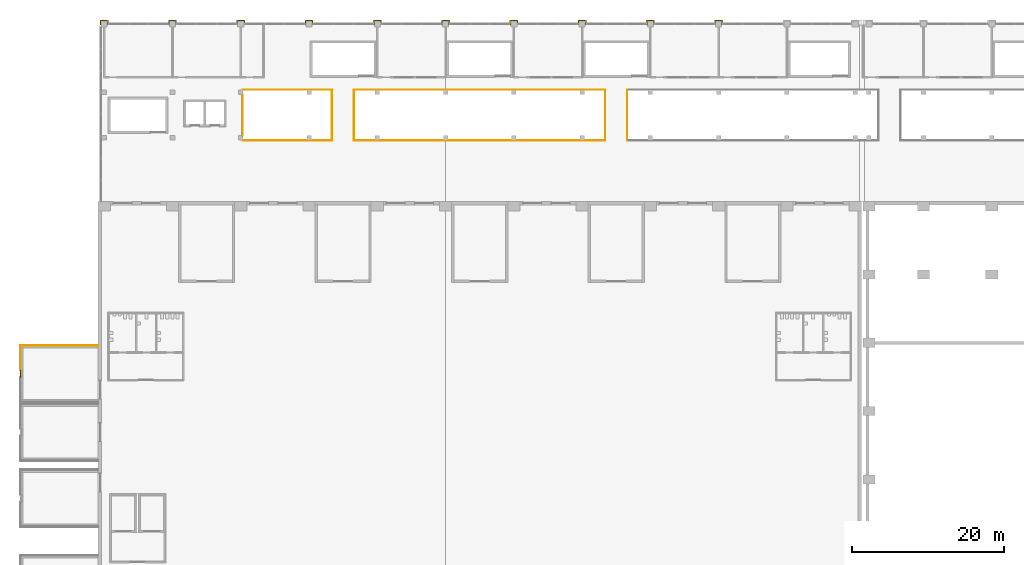
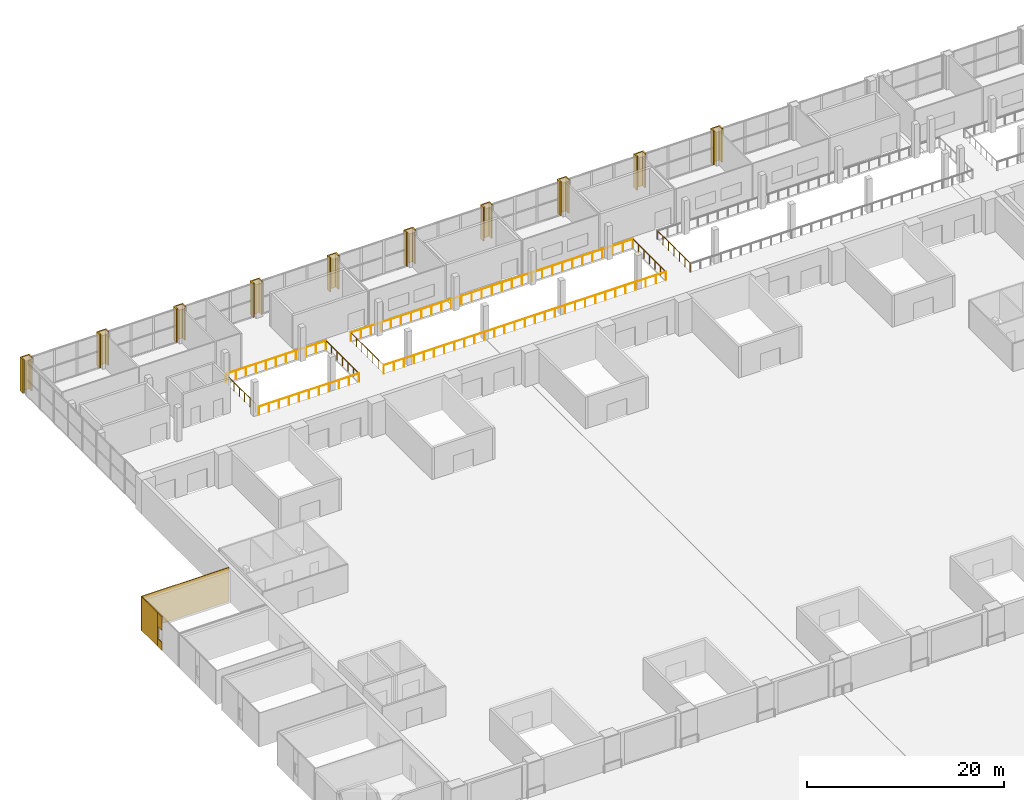
# One storey, part 31 of 39: 14 coverings, 9 railings.
"""IFC4 building model written with IfcOpenShell, lengths in metres."""

from ifc_helpers import new_model, si_unit, direction, frame, origin, origin_2d, place, context, subcontext, project, spatial, polyline, circle, outline, extrude, material, layer, layer_set, type_object, element, save


model = new_model("IFC4")

# Units and contexts
model_context = context("Model", 3, precision=1e-05, world=origin(), true_north=direction((0.0, 1.0)))
body_context = subcontext(model_context, "Body", "Model", "MODEL_VIEW")
ifc_project = project(units=[si_unit("LENGTHUNIT", "METRE"), si_unit("AREAUNIT", "SQUARE_METRE"), si_unit("VOLUMEUNIT", "CUBIC_METRE"), si_unit("PLANEANGLEUNIT", "RADIAN"), si_unit("MASSUNIT", "GRAM", prefix="KILO")], contexts=[model_context])

# Site, building, storey
site_placement = place(None, origin())
site = spatial("IfcSite", under=ifc_project, at=site_placement, CompositionType="ELEMENT")
building_placement = place(site_placement, origin())
building = spatial("IfcBuilding", under=site, at=building_placement, Name="Aravalli Gate Trade Fair Centre", CompositionType="ELEMENT")
storey_placement = place(building_placement, frame((0.0, 0.0, 15.0)))
storey = spatial("IfcBuildingStorey", under=building, at=storey_placement, Name="L03", CompositionType="ELEMENT", Elevation=15.0)

# Railings
ifc_material_1 = material(Name="Steel E350", Category="steel")
railing_type = type_object("IfcRailingType", Name="Concourse guard 1100", PredefinedType="GUARDRAIL", material=ifc_material_1)
railing_1_placement = place(storey_placement, frame((24.300048828125, 117.64990234375, 0.0)))
element("IfcRailing", 1, at=railing_1_placement, inside=storey, type_object=railing_type, Name="Atrium guard S1 L03", PredefinedType="GUARDRAIL", context=body_context, shape_type="SweptSolid", body=[
    extrude(circle(Radius=0.02392578125, at=origin_2d()), frame((0.0, 0.0, 1.076171875), z_axis=(1.0, 0.0, 0.0), x_axis=(0.0, 1.0, 0.0)), (0.0, 0.0, 1.0), 11.75),
    extrude(circle(Radius=0.02099609375, at=origin_2d()), origin(), (0.0, 0.0, 1.0), 1.052001953125),
    extrude(circle(Radius=0.02099609375, at=origin_2d()), frame((1.175048828125, 0.0, 0.0)), (0.0, 0.0, 1.0), 1.052001953125),
    extrude(circle(Radius=0.02099609375, at=origin_2d()), frame((2.35009765625, 0.0, 0.0)), (0.0, 0.0, 1.0), 1.052001953125),
    extrude(circle(Radius=0.02099609375, at=origin_2d()), frame((3.52490234375, 0.0, 0.0)), (0.0, 0.0, 1.0), 1.052001953125),
    extrude(circle(Radius=0.02099609375, at=origin_2d()), frame((4.699951171875, 0.0, 0.0)), (0.0, 0.0, 1.0), 1.052001953125),
    extrude(circle(Radius=0.02099609375, at=origin_2d()), frame((5.875, 0.0, 0.0)), (0.0, 0.0, 1.0), 1.052001953125),
    extrude(circle(Radius=0.02099609375, at=origin_2d()), frame((7.050048828125, 0.0, 0.0)), (0.0, 0.0, 1.0), 1.052001953125),
    extrude(circle(Radius=0.02099609375, at=origin_2d()), frame((8.22509765625, 0.0, 0.0)), (0.0, 0.0, 1.0), 1.052001953125),
    extrude(circle(Radius=0.02099609375, at=origin_2d()), frame((9.39990234375, 0.0, 0.0)), (0.0, 0.0, 1.0), 1.052001953125),
    extrude(circle(Radius=0.02099609375, at=origin_2d()), frame((10.574951171875, 0.0, 0.0)), (0.0, 0.0, 1.0), 1.052001953125),
    extrude(circle(Radius=0.02099609375, at=origin_2d()), frame((11.75, 0.0, 0.0)), (0.0, 0.0, 1.0), 1.052001953125),
])
railing_2_placement = place(storey_placement, frame((38.949951171875, 117.64990234375, 0.0)))
element("IfcRailing", 2, at=railing_2_placement, inside=storey, type_object=railing_type, Name="Atrium guard S2 L03", PredefinedType="GUARDRAIL", context=body_context, shape_type="SweptSolid", body=[
    extrude(circle(Radius=0.02392578125, at=origin_2d()), frame((0.0, 0.0, 1.076171875), z_axis=(1.0, 0.0, 0.0), x_axis=(0.0, 1.0, 0.0)), (0.0, 0.0, 1.0), 33.10009765625),
    extrude(circle(Radius=0.02099609375, at=origin_2d()), origin(), (0.0, 0.0, 1.0), 1.052001953125),
    extrude(circle(Radius=0.02099609375, at=origin_2d()), frame((1.18212890625, 0.0, 0.0)), (0.0, 0.0, 1.0), 1.052001953125),
    extrude(circle(Radius=0.02099609375, at=origin_2d()), frame((2.3642578125, 0.0, 0.0)), (0.0, 0.0, 1.0), 1.052001953125),
    extrude(circle(Radius=0.02099609375, at=origin_2d()), frame((3.54638671875, 0.0, 0.0)), (0.0, 0.0, 1.0), 1.052001953125),
    extrude(circle(Radius=0.02099609375, at=origin_2d()), frame((4.728515625, 0.0, 0.0)), (0.0, 0.0, 1.0), 1.052001953125),
    extrude(circle(Radius=0.02099609375, at=origin_2d()), frame((5.91064453125, 0.0, 0.0)), (0.0, 0.0, 1.0), 1.052001953125),
    extrude(circle(Radius=0.02099609375, at=origin_2d()), frame((7.0927734375, 0.0, 0.0)), (0.0, 0.0, 1.0), 1.052001953125),
    extrude(circle(Radius=0.02099609375, at=origin_2d()), frame((8.27490234375, 0.0, 0.0)), (0.0, 0.0, 1.0), 1.052001953125),
    extrude(circle(Radius=0.02099609375, at=origin_2d()), frame((9.457275390625, 0.0, 0.0)), (0.0, 0.0, 1.0), 1.052001953125),
    extrude(circle(Radius=0.02099609375, at=origin_2d()), frame((10.639404296875, 0.0, 0.0)), (0.0, 0.0, 1.0), 1.052001953125),
    extrude(circle(Radius=0.02099609375, at=origin_2d()), frame((11.821533203125, 0.0, 0.0)), (0.0, 0.0, 1.0), 1.052001953125),
    extrude(circle(Radius=0.02099609375, at=origin_2d()), frame((13.003662109375, 0.0, 0.0)), (0.0, 0.0, 1.0), 1.052001953125),
    extrude(circle(Radius=0.02099609375, at=origin_2d()), frame((14.185791015625, 0.0, 0.0)), (0.0, 0.0, 1.0), 1.052001953125),
    extrude(circle(Radius=0.02099609375, at=origin_2d()), frame((15.367919921875, 0.0, 0.0)), (0.0, 0.0, 1.0), 1.052001953125),
    extrude(circle(Radius=0.02099609375, at=origin_2d()), frame((16.550048828125, 0.0, 0.0)), (0.0, 0.0, 1.0), 1.052001953125),
    extrude(circle(Radius=0.02099609375, at=origin_2d()), frame((17.732177734375, 0.0, 0.0)), (0.0, 0.0, 1.0), 1.052001953125),
    extrude(circle(Radius=0.02099609375, at=origin_2d()), frame((18.914306640625, 0.0, 0.0)), (0.0, 0.0, 1.0), 1.052001953125),
    extrude(circle(Radius=0.02099609375, at=origin_2d()), frame((20.096435546875, 0.0, 0.0)), (0.0, 0.0, 1.0), 1.052001953125),
    extrude(circle(Radius=0.02099609375, at=origin_2d()), frame((21.278564453125, 0.0, 0.0)), (0.0, 0.0, 1.0), 1.052001953125),
    extrude(circle(Radius=0.02099609375, at=origin_2d()), frame((22.460693359375, 0.0, 0.0)), (0.0, 0.0, 1.0), 1.052001953125),
    extrude(circle(Radius=0.02099609375, at=origin_2d()), frame((23.642822265625, 0.0, 0.0)), (0.0, 0.0, 1.0), 1.052001953125),
    extrude(circle(Radius=0.02099609375, at=origin_2d()), frame((24.8251953125, 0.0, 0.0)), (0.0, 0.0, 1.0), 1.052001953125),
    extrude(circle(Radius=0.02099609375, at=origin_2d()), frame((26.00732421875, 0.0, 0.0)), (0.0, 0.0, 1.0), 1.052001953125),
    extrude(circle(Radius=0.02099609375, at=origin_2d()), frame((27.189453125, 0.0, 0.0)), (0.0, 0.0, 1.0), 1.052001953125),
    extrude(circle(Radius=0.02099609375, at=origin_2d()), frame((28.37158203125, 0.0, 0.0)), (0.0, 0.0, 1.0), 1.052001953125),
    extrude(circle(Radius=0.02099609375, at=origin_2d()), frame((29.5537109375, 0.0, 0.0)), (0.0, 0.0, 1.0), 1.052001953125),
    extrude(circle(Radius=0.02099609375, at=origin_2d()), frame((30.73583984375, 0.0, 0.0)), (0.0, 0.0, 1.0), 1.052001953125),
    extrude(circle(Radius=0.02099609375, at=origin_2d()), frame((31.91796875, 0.0, 0.0)), (0.0, 0.0, 1.0), 1.052001953125),
    extrude(circle(Radius=0.02099609375, at=origin_2d()), frame((33.10009765625, 0.0, 0.0)), (0.0, 0.0, 1.0), 1.052001953125),
])
railing_3_placement = place(storey_placement, frame((24.300048828125, 124.35009765625, 0.0)))
element("IfcRailing", 3, at=railing_3_placement, inside=storey, type_object=railing_type, Name="Atrium guard N1 L03", PredefinedType="GUARDRAIL", context=body_context, shape_type="SweptSolid", body=[
    extrude(circle(Radius=0.02392578125, at=origin_2d()), frame((0.0, 0.0, 1.076171875), z_axis=(1.0, 0.0, 0.0), x_axis=(0.0, 1.0, 0.0)), (0.0, 0.0, 1.0), 11.75),
    extrude(circle(Radius=0.02099609375, at=origin_2d()), origin(), (0.0, 0.0, 1.0), 1.052001953125),
    extrude(circle(Radius=0.02099609375, at=origin_2d()), frame((1.175048828125, 0.0, 0.0)), (0.0, 0.0, 1.0), 1.052001953125),
    extrude(circle(Radius=0.02099609375, at=origin_2d()), frame((2.35009765625, 0.0, 0.0)), (0.0, 0.0, 1.0), 1.052001953125),
    extrude(circle(Radius=0.02099609375, at=origin_2d()), frame((3.52490234375, 0.0, 0.0)), (0.0, 0.0, 1.0), 1.052001953125),
    extrude(circle(Radius=0.02099609375, at=origin_2d()), frame((4.699951171875, 0.0, 0.0)), (0.0, 0.0, 1.0), 1.052001953125),
    extrude(circle(Radius=0.02099609375, at=origin_2d()), frame((5.875, 0.0, 0.0)), (0.0, 0.0, 1.0), 1.052001953125),
    extrude(circle(Radius=0.02099609375, at=origin_2d()), frame((7.050048828125, 0.0, 0.0)), (0.0, 0.0, 1.0), 1.052001953125),
    extrude(circle(Radius=0.02099609375, at=origin_2d()), frame((8.22509765625, 0.0, 0.0)), (0.0, 0.0, 1.0), 1.052001953125),
    extrude(circle(Radius=0.02099609375, at=origin_2d()), frame((9.39990234375, 0.0, 0.0)), (0.0, 0.0, 1.0), 1.052001953125),
    extrude(circle(Radius=0.02099609375, at=origin_2d()), frame((10.574951171875, 0.0, 0.0)), (0.0, 0.0, 1.0), 1.052001953125),
    extrude(circle(Radius=0.02099609375, at=origin_2d()), frame((11.75, 0.0, 0.0)), (0.0, 0.0, 1.0), 1.052001953125),
])
railing_4_placement = place(storey_placement, frame((38.949951171875, 124.35009765625, 0.0)))
element("IfcRailing", 4, at=railing_4_placement, inside=storey, type_object=railing_type, Name="Atrium guard N2 L03", PredefinedType="GUARDRAIL", context=body_context, shape_type="SweptSolid", body=[
    extrude(circle(Radius=0.02392578125, at=origin_2d()), frame((0.0, 0.0, 1.076171875), z_axis=(1.0, 0.0, 0.0), x_axis=(0.0, 1.0, 0.0)), (0.0, 0.0, 1.0), 33.10009765625),
    extrude(circle(Radius=0.02099609375, at=origin_2d()), origin(), (0.0, 0.0, 1.0), 1.052001953125),
    extrude(circle(Radius=0.02099609375, at=origin_2d()), frame((1.18212890625, 0.0, 0.0)), (0.0, 0.0, 1.0), 1.052001953125),
    extrude(circle(Radius=0.02099609375, at=origin_2d()), frame((2.3642578125, 0.0, 0.0)), (0.0, 0.0, 1.0), 1.052001953125),
    extrude(circle(Radius=0.02099609375, at=origin_2d()), frame((3.54638671875, 0.0, 0.0)), (0.0, 0.0, 1.0), 1.052001953125),
    extrude(circle(Radius=0.02099609375, at=origin_2d()), frame((4.728515625, 0.0, 0.0)), (0.0, 0.0, 1.0), 1.052001953125),
    extrude(circle(Radius=0.02099609375, at=origin_2d()), frame((5.91064453125, 0.0, 0.0)), (0.0, 0.0, 1.0), 1.052001953125),
    extrude(circle(Radius=0.02099609375, at=origin_2d()), frame((7.0927734375, 0.0, 0.0)), (0.0, 0.0, 1.0), 1.052001953125),
    extrude(circle(Radius=0.02099609375, at=origin_2d()), frame((8.27490234375, 0.0, 0.0)), (0.0, 0.0, 1.0), 1.052001953125),
    extrude(circle(Radius=0.02099609375, at=origin_2d()), frame((9.457275390625, 0.0, 0.0)), (0.0, 0.0, 1.0), 1.052001953125),
    extrude(circle(Radius=0.02099609375, at=origin_2d()), frame((10.639404296875, 0.0, 0.0)), (0.0, 0.0, 1.0), 1.052001953125),
    extrude(circle(Radius=0.02099609375, at=origin_2d()), frame((11.821533203125, 0.0, 0.0)), (0.0, 0.0, 1.0), 1.052001953125),
    extrude(circle(Radius=0.02099609375, at=origin_2d()), frame((13.003662109375, 0.0, 0.0)), (0.0, 0.0, 1.0), 1.052001953125),
    extrude(circle(Radius=0.02099609375, at=origin_2d()), frame((14.185791015625, 0.0, 0.0)), (0.0, 0.0, 1.0), 1.052001953125),
    extrude(circle(Radius=0.02099609375, at=origin_2d()), frame((15.367919921875, 0.0, 0.0)), (0.0, 0.0, 1.0), 1.052001953125),
    extrude(circle(Radius=0.02099609375, at=origin_2d()), frame((16.550048828125, 0.0, 0.0)), (0.0, 0.0, 1.0), 1.052001953125),
    extrude(circle(Radius=0.02099609375, at=origin_2d()), frame((17.732177734375, 0.0, 0.0)), (0.0, 0.0, 1.0), 1.052001953125),
    extrude(circle(Radius=0.02099609375, at=origin_2d()), frame((18.914306640625, 0.0, 0.0)), (0.0, 0.0, 1.0), 1.052001953125),
    extrude(circle(Radius=0.02099609375, at=origin_2d()), frame((20.096435546875, 0.0, 0.0)), (0.0, 0.0, 1.0), 1.052001953125),
    extrude(circle(Radius=0.02099609375, at=origin_2d()), frame((21.278564453125, 0.0, 0.0)), (0.0, 0.0, 1.0), 1.052001953125),
    extrude(circle(Radius=0.02099609375, at=origin_2d()), frame((22.460693359375, 0.0, 0.0)), (0.0, 0.0, 1.0), 1.052001953125),
    extrude(circle(Radius=0.02099609375, at=origin_2d()), frame((23.642822265625, 0.0, 0.0)), (0.0, 0.0, 1.0), 1.052001953125),
    extrude(circle(Radius=0.02099609375, at=origin_2d()), frame((24.8251953125, 0.0, 0.0)), (0.0, 0.0, 1.0), 1.052001953125),
    extrude(circle(Radius=0.02099609375, at=origin_2d()), frame((26.00732421875, 0.0, 0.0)), (0.0, 0.0, 1.0), 1.052001953125),
    extrude(circle(Radius=0.02099609375, at=origin_2d()), frame((27.189453125, 0.0, 0.0)), (0.0, 0.0, 1.0), 1.052001953125),
    extrude(circle(Radius=0.02099609375, at=origin_2d()), frame((28.37158203125, 0.0, 0.0)), (0.0, 0.0, 1.0), 1.052001953125),
    extrude(circle(Radius=0.02099609375, at=origin_2d()), frame((29.5537109375, 0.0, 0.0)), (0.0, 0.0, 1.0), 1.052001953125),
    extrude(circle(Radius=0.02099609375, at=origin_2d()), frame((30.73583984375, 0.0, 0.0)), (0.0, 0.0, 1.0), 1.052001953125),
    extrude(circle(Radius=0.02099609375, at=origin_2d()), frame((31.91796875, 0.0, 0.0)), (0.0, 0.0, 1.0), 1.052001953125),
    extrude(circle(Radius=0.02099609375, at=origin_2d()), frame((33.10009765625, 0.0, 0.0)), (0.0, 0.0, 1.0), 1.052001953125),
])
railing_5_placement = place(storey_placement, frame((24.25, 118.300048828125, 0.0)))
element("IfcRailing", 5, at=railing_5_placement, inside=storey, type_object=railing_type, Name="Atrium guard W L03", PredefinedType="GUARDRAIL", context=body_context, shape_type="SweptSolid", body=[
    extrude(circle(Radius=0.02392578125, at=origin_2d()), frame((0.0, 0.0, 1.076171875), z_axis=(0.0, 1.0, 0.0), x_axis=(-1.0, 0.0, 0.0)), (0.0, 0.0, 1.0), 5.39990234375),
    extrude(circle(Radius=0.02099609375, at=origin_2d()), origin(), (0.0, 0.0, 1.0), 1.052001953125),
    extrude(circle(Radius=0.02099609375, at=origin_2d()), frame((0.0, 1.080078125, 0.0)), (0.0, 0.0, 1.0), 1.052001953125),
    extrude(circle(Radius=0.02099609375, at=origin_2d()), frame((0.0, 2.159912109375, 0.0)), (0.0, 0.0, 1.0), 1.052001953125),
    extrude(circle(Radius=0.02099609375, at=origin_2d()), frame((0.0, 3.239990234375, 0.0)), (0.0, 0.0, 1.0), 1.052001953125),
    extrude(circle(Radius=0.02099609375, at=origin_2d()), frame((0.0, 4.31982421875, 0.0)), (0.0, 0.0, 1.0), 1.052001953125),
    extrude(circle(Radius=0.02099609375, at=origin_2d()), frame((0.0, 5.39990234375, 0.0)), (0.0, 0.0, 1.0), 1.052001953125),
])
for number, where, name in (
    (6, (36.050048828125, 117.64990234375, 0.0), "Atrium guard BA1 L03"),
    (7, (38.949951171875, 117.64990234375, 0.0), "Atrium guard BB1 L03"),
    (8, (72.050048828125, 117.64990234375, 0.0), "Atrium guard BA2 L03"),
    (9, (74.949951171875, 117.64990234375, 0.0), "Atrium guard BB2 L03"),
):
    element("IfcRailing", number, at=place(storey_placement, frame(where)), inside=storey, type_object=railing_type, Name=name, PredefinedType="GUARDRAIL", context=body_context, shape_type="SweptSolid", body=[
        extrude(circle(Radius=0.02392578125, at=origin_2d()), frame((0.0, 0.0, 1.076171875), z_axis=(0.0, 1.0, 0.0), x_axis=(-1.0, 0.0, 0.0)), (0.0, 0.0, 1.0), 6.7001953125),
        extrude(circle(Radius=0.02099609375, at=origin_2d()), origin(), (0.0, 0.0, 1.0), 1.052001953125),
        extrude(circle(Radius=0.02099609375, at=origin_2d()), frame((0.0, 1.11669921875, 0.0)), (0.0, 0.0, 1.0), 1.052001953125),
        extrude(circle(Radius=0.02099609375, at=origin_2d()), frame((0.0, 2.2333984375, 0.0)), (0.0, 0.0, 1.0), 1.052001953125),
        extrude(circle(Radius=0.02099609375, at=origin_2d()), frame((0.0, 3.35009765625, 0.0)), (0.0, 0.0, 1.0), 1.052001953125),
        extrude(circle(Radius=0.02099609375, at=origin_2d()), frame((0.0, 4.466796875, 0.0)), (0.0, 0.0, 1.0), 1.052001953125),
        extrude(circle(Radius=0.02099609375, at=origin_2d()), frame((0.0, 5.58349609375, 0.0)), (0.0, 0.0, 1.0), 1.052001953125),
        extrude(circle(Radius=0.02099609375, at=origin_2d()), frame((0.0, 6.7001953125, 0.0)), (0.0, 0.0, 1.0), 1.052001953125),
    ])

# Coverings
ifc_material_2 = material(Name="Terracotta", Category="masonry")
ifc_layer_1 = layer(ifc_material_2, 0.10009765625)
ifc_layer_set_1 = layer_set([ifc_layer_1], Name="Terracotta")
covering_type_1 = type_object("IfcCoveringType", Name="End tower cladding 100", PredefinedType="CLADDING", material=ifc_layer_set_1)
covering_1_placement = place(storey_placement, origin())
element("IfcCovering", 10, at=covering_1_placement, inside=storey, type_object=covering_type_1, Name="End tower W5 cladding L03 side B", PredefinedType="CLADDING", context=body_context, shape_type="SweptSolid", body=[
    extrude(outline(polyline([(5.199951171875, 90.60009765625), (-5.10009765625, 90.60009765625), (-5.10009765625, 90.699951171875), (5.199951171875, 90.699951171875), (5.199951171875, 90.60009765625)])), origin(), (0.0, 0.0, 1.0), 4.199951171875),
])
covering_2_placement = place(storey_placement, origin())
element("IfcCovering", 11, at=covering_2_placement, inside=storey, type_object=covering_type_1, Name="End tower W5 cladding L03 far right", PredefinedType="CLADDING", context=body_context, shape_type="SweptSolid", body=[
    extrude(outline(polyline([(-5.0, 87.35009765625), (-5.10009765625, 87.35009765625), (-5.10009765625, 90.60009765625), (-5.0, 90.60009765625), (-5.0, 87.35009765625)])), origin(), (0.0, 0.0, 1.0), 4.199951171875),
])
covering_3_placement = place(storey_placement, origin())
element("IfcCovering", 12, at=covering_3_placement, inside=storey, type_object=covering_type_1, Name="End tower W5 cladding L03 below the window", PredefinedType="CLADDING", context=body_context, shape_type="SweptSolid", body=[
    extrude(outline(polyline([(-5.0, 86.449951171875), (-5.10009765625, 86.449951171875), (-5.10009765625, 87.35009765625), (-5.0, 87.35009765625), (-5.0, 86.449951171875)])), origin(), (0.0, 0.0, 1.0), 1.0),
])
covering_4_placement = place(storey_placement, frame((0.0, 0.0, 2.5)))
element("IfcCovering", 13, at=covering_4_placement, inside=storey, type_object=covering_type_1, Name="End tower W5 cladding L03 above the window", PredefinedType="CLADDING", context=body_context, shape_type="SweptSolid", body=[
    extrude(outline(polyline([(-5.0, 86.449951171875), (-5.10009765625, 86.449951171875), (-5.10009765625, 87.35009765625), (-5.0, 87.35009765625), (-5.0, 86.449951171875)])), origin(), (0.0, 0.0, 1.0), 1.699951171875),
])
ifc_material_3 = material(Name="Glazed terracotta", Category="masonry")
ifc_layer_2 = layer(ifc_material_3, 0.14990234375)
ifc_layer_set_2 = layer_set([ifc_layer_2], Name="Glazed terracotta")
covering_type_2 = type_object("IfcCoveringType", Name="Terracotta pier casing 150", PredefinedType="CLADDING", material=ifc_layer_set_2)
covering_5_placement = place(storey_placement, origin())
element("IfcCovering", 14, at=covering_5_placement, inside=storey, type_object=covering_type_2, Name="Pier casing K01 L03", PredefinedType="CLADDING", context=body_context, shape_type="SweptSolid", body=[
    extrude(outline(polyline([(5.449951171875, 132.919921875), (5.60009765625, 132.919921875), (5.60009765625, 133.39990234375), (6.39990234375, 133.39990234375), (6.39990234375, 132.919921875), (6.550048828125, 132.919921875), (6.550048828125, 133.550048828125), (5.449951171875, 133.550048828125), (5.449951171875, 132.919921875)])), origin(), (0.0, 0.0, 1.0), 4.199951171875),
])
covering_6_placement = place(storey_placement, origin())
element("IfcCovering", 15, at=covering_6_placement, inside=storey, type_object=covering_type_2, Name="Pier casing K02 L03", PredefinedType="CLADDING", context=body_context, shape_type="SweptSolid", body=[
    extrude(outline(polyline([(14.449951171875, 132.919921875), (14.60009765625, 132.919921875), (14.60009765625, 133.39990234375), (15.39990234375, 133.39990234375), (15.39990234375, 132.919921875), (15.550048828125, 132.919921875), (15.550048828125, 133.550048828125), (14.449951171875, 133.550048828125), (14.449951171875, 132.919921875)])), origin(), (0.0, 0.0, 1.0), 4.199951171875),
])
covering_7_placement = place(storey_placement, origin())
element("IfcCovering", 16, at=covering_7_placement, inside=storey, type_object=covering_type_2, Name="Pier casing K03 L03", PredefinedType="CLADDING", context=body_context, shape_type="SweptSolid", body=[
    extrude(outline(polyline([(23.449951171875, 132.919921875), (23.60009765625, 132.919921875), (23.60009765625, 133.39990234375), (24.39990234375, 133.39990234375), (24.39990234375, 132.919921875), (24.550048828125, 132.919921875), (24.550048828125, 133.550048828125), (23.449951171875, 133.550048828125), (23.449951171875, 132.919921875)])), origin(), (0.0, 0.0, 1.0), 4.199951171875),
])
covering_8_placement = place(storey_placement, origin())
element("IfcCovering", 17, at=covering_8_placement, inside=storey, type_object=covering_type_2, Name="Pier casing K04 L03", PredefinedType="CLADDING", context=body_context, shape_type="SweptSolid", body=[
    extrude(outline(polyline([(32.449951171875, 132.919921875), (32.60009765625, 132.919921875), (32.60009765625, 133.39990234375), (33.39990234375, 133.39990234375), (33.39990234375, 132.919921875), (33.550048828125, 132.919921875), (33.550048828125, 133.550048828125), (32.449951171875, 133.550048828125), (32.449951171875, 132.919921875)])), origin(), (0.0, 0.0, 1.0), 4.199951171875),
])
covering_9_placement = place(storey_placement, origin())
element("IfcCovering", 18, at=covering_9_placement, inside=storey, type_object=covering_type_2, Name="Pier casing K05 L03", PredefinedType="CLADDING", context=body_context, shape_type="SweptSolid", body=[
    extrude(outline(polyline([(41.449951171875, 132.919921875), (41.60009765625, 132.919921875), (41.60009765625, 133.39990234375), (42.39990234375, 133.39990234375), (42.39990234375, 132.919921875), (42.550048828125, 132.919921875), (42.550048828125, 133.550048828125), (41.449951171875, 133.550048828125), (41.449951171875, 132.919921875)])), origin(), (0.0, 0.0, 1.0), 4.199951171875),
])
covering_10_placement = place(storey_placement, origin())
element("IfcCovering", 19, at=covering_10_placement, inside=storey, type_object=covering_type_2, Name="Pier casing K06 L03", PredefinedType="CLADDING", context=body_context, shape_type="SweptSolid", body=[
    extrude(outline(polyline([(50.449951171875, 132.919921875), (50.60009765625, 132.919921875), (50.60009765625, 133.39990234375), (51.39990234375, 133.39990234375), (51.39990234375, 132.919921875), (51.550048828125, 132.919921875), (51.550048828125, 133.550048828125), (50.449951171875, 133.550048828125), (50.449951171875, 132.919921875)])), origin(), (0.0, 0.0, 1.0), 4.199951171875),
])
covering_11_placement = place(storey_placement, origin())
element("IfcCovering", 20, at=covering_11_placement, inside=storey, type_object=covering_type_2, Name="Pier casing K07 L03", PredefinedType="CLADDING", context=body_context, shape_type="SweptSolid", body=[
    extrude(outline(polyline([(59.449951171875, 132.919921875), (59.60009765625, 132.919921875), (59.60009765625, 133.39990234375), (60.39990234375, 133.39990234375), (60.39990234375, 132.919921875), (60.550048828125, 132.919921875), (60.550048828125, 133.550048828125), (59.449951171875, 133.550048828125), (59.449951171875, 132.919921875)])), origin(), (0.0, 0.0, 1.0), 4.199951171875),
])
covering_12_placement = place(storey_placement, origin())
element("IfcCovering", 21, at=covering_12_placement, inside=storey, type_object=covering_type_2, Name="Pier casing K08 L03", PredefinedType="CLADDING", context=body_context, shape_type="SweptSolid", body=[
    extrude(outline(polyline([(68.449951171875, 132.919921875), (68.60009765625, 132.919921875), (68.60009765625, 133.39990234375), (69.39990234375, 133.39990234375), (69.39990234375, 132.919921875), (69.550048828125, 132.919921875), (69.550048828125, 133.550048828125), (68.449951171875, 133.550048828125), (68.449951171875, 132.919921875)])), origin(), (0.0, 0.0, 1.0), 4.199951171875),
])
covering_13_placement = place(storey_placement, origin())
element("IfcCovering", 22, at=covering_13_placement, inside=storey, type_object=covering_type_2, Name="Pier casing K09 L03", PredefinedType="CLADDING", context=body_context, shape_type="SweptSolid", body=[
    extrude(outline(polyline([(77.449951171875, 132.919921875), (77.60009765625, 132.919921875), (77.60009765625, 133.39990234375), (78.39990234375, 133.39990234375), (78.39990234375, 132.919921875), (78.550048828125, 132.919921875), (78.550048828125, 133.550048828125), (77.449951171875, 133.550048828125), (77.449951171875, 132.919921875)])), origin(), (0.0, 0.0, 1.0), 4.199951171875),
])
covering_14_placement = place(storey_placement, origin())
element("IfcCovering", 23, at=covering_14_placement, inside=storey, type_object=covering_type_2, Name="Pier casing K10 L03", PredefinedType="CLADDING", context=body_context, shape_type="SweptSolid", body=[
    extrude(outline(polyline([(86.449951171875, 132.919921875), (86.60009765625, 132.919921875), (86.60009765625, 133.39990234375), (87.39990234375, 133.39990234375), (87.39990234375, 132.919921875), (87.550048828125, 132.919921875), (87.550048828125, 133.550048828125), (86.449951171875, 133.550048828125), (86.449951171875, 132.919921875)])), origin(), (0.0, 0.0, 1.0), 4.199951171875),
])

save(model, "model.ifc")
